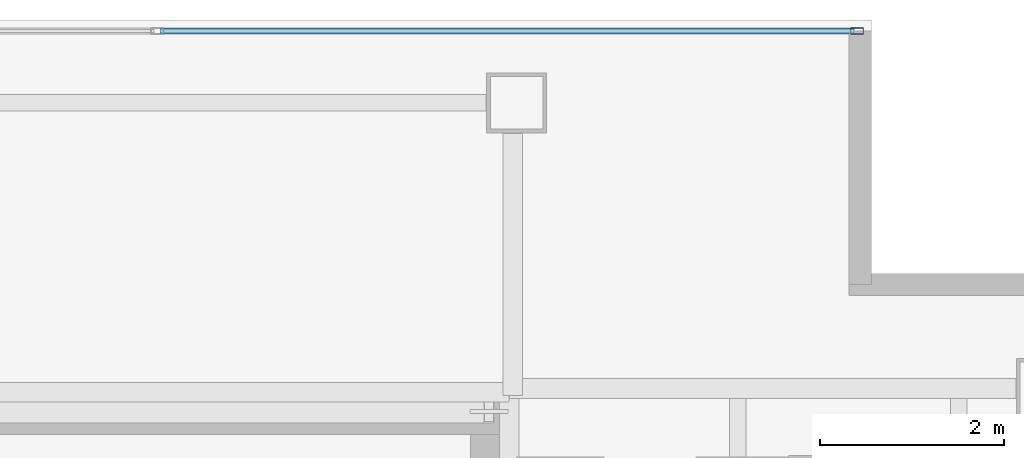
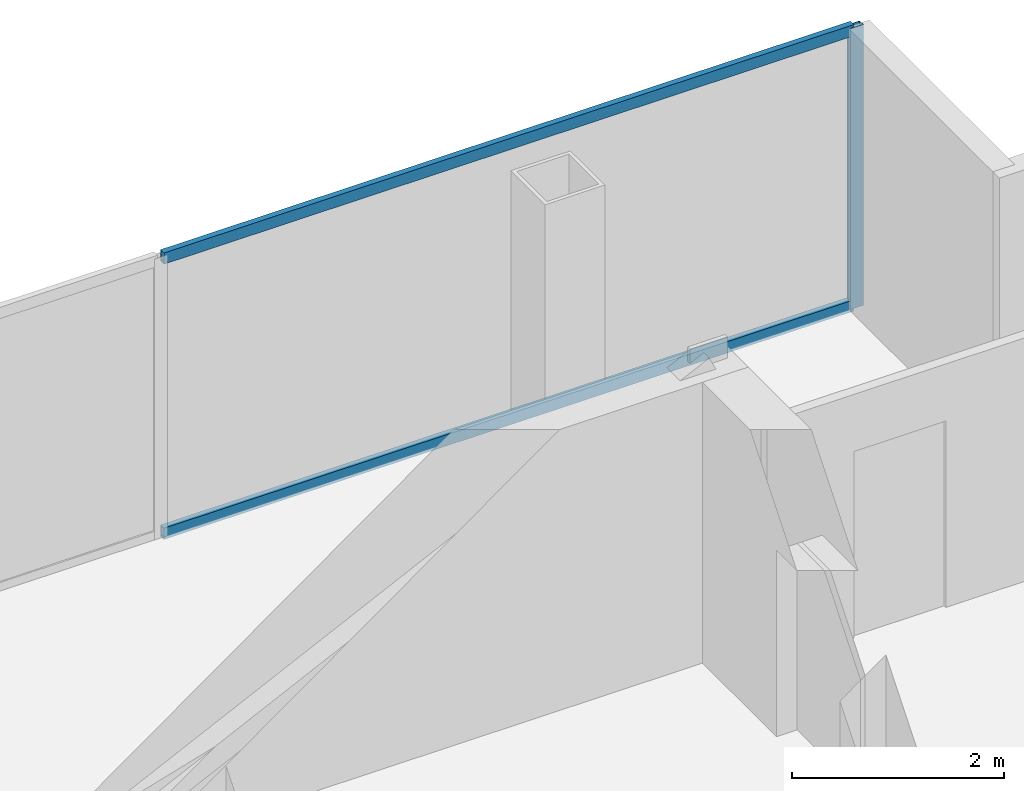
# One storey, part 19 of 24: 3 members, 1 element without a shape of its own.
"""IFC4 building model written with IfcOpenShell, lengths in metres."""

from ifc_helpers import new_model, si_unit, direction, frame, origin, origin_2d, place, context, subcontext, project, spatial, hollow_rectangle, extrude, material, material_profile, profile_set, type_object, element, aggregate, save


model = new_model("IFC4")

# Units and contexts
model_context = context("Model", 3, precision=1e-05, world=origin(), true_north=direction((0.0, 1.0)))
body_context = subcontext(model_context, "Body", "Model", "MODEL_VIEW")
ifc_project = project(units=[si_unit("LENGTHUNIT", "METRE"), si_unit("AREAUNIT", "SQUARE_METRE"), si_unit("VOLUMEUNIT", "CUBIC_METRE"), si_unit("PLANEANGLEUNIT", "RADIAN"), si_unit("MASSUNIT", "GRAM", prefix="KILO")], contexts=[model_context])

# Site, building, storey
site_placement = place(None, origin())
site = spatial("IfcSite", under=ifc_project, at=site_placement, CompositionType="ELEMENT")
building_placement = place(site_placement, origin())
building = spatial("IfcBuilding", under=site, at=building_placement, Name="Cobrela Telecom Tower", CompositionType="ELEMENT")
storey_placement = place(building_placement, frame((0.0, 0.0, 244.64990234375)))
storey = spatial("IfcBuildingStorey", under=building, at=storey_placement, Name="L63", CompositionType="ELEMENT", Elevation=244.64990234375)

# Curtain wall, members
ifc_material = material(Name="Anodized Bronze Aluminium 6063-T6", Category="aluminium")
curtain_wall_type = type_object("IfcCurtainWallType", Name="CW-SYS-OFF-HI", PredefinedType="USERDEFINED", material=ifc_material)
curtain_wall_placement = place(storey_placement, origin())
curtain_wall = element("IfcCurtainWall", 1, at=curtain_wall_placement, inside=storey, type_object=curtain_wall_type, Name="L63 Unitised Bronze Curtain Wall 05", ObjectType="UNITISED CURTAIN WALL", PredefinedType="USERDEFINED")
ifc_material_profile_1 = material_profile(ifc_material, hollow_rectangle(XDim=0.070068359375, YDim=0.139892578125, WallThickness=0.00390625, at=origin_2d()), Name="ALU 70x140x4")
ifc_profile_set_1 = profile_set([ifc_material_profile_1], Name="Anodized Bronze Aluminium 6063-T6")
member_type_1 = type_object("IfcMemberType", Name="CW-SYS-OFF-HI-MUL", PredefinedType="MULLION", material=ifc_profile_set_1)
member_1_placement = place(storey_placement, frame((18.094970703125, 39.8798828125, 0.0), z_axis=(0.0, 0.0, 1.0), x_axis=(0.0, 1.0, 0.0)))
member_1 = element("IfcMember", 2, at=member_1_placement, type_object=member_type_1, Name="CW-OFF-HI mullion 3", PredefinedType="MULLION", context=body_context, shape_type="SweptSolid", body=[
    extrude(hollow_rectangle(XDim=0.070068359375, YDim=0.139892578125, WallThickness=0.00390625, at=origin_2d()), origin(), (0.0, 0.0, 1.0), 3.239990234375),
])
ifc_material_profile_2 = material_profile(ifc_material, hollow_rectangle(XDim=0.06494140625, YDim=0.1298828125, WallThickness=0.00390625, at=origin_2d()), Name="ALU 65x130x4")
ifc_profile_set_2 = profile_set([ifc_material_profile_2], Name="Anodized Bronze Aluminium 6063-T6")
member_type_2 = type_object("IfcMemberType", Name="CW-SYS-OFF-HI-TRN", PredefinedType="USERDEFINED", material=ifc_profile_set_2)
member_2_placement = place(storey_placement, frame((10.534912109375, 39.8798828125, 0.03271484375), z_axis=(1.0, 0.0, 0.0), x_axis=(0.0, 1.0, 0.0)))
member_2 = element("IfcMember", 3, at=member_2_placement, type_object=member_type_2, Name="CW-OFF-HI transom 2.1", ObjectType="TRANSOM", PredefinedType="USERDEFINED", context=body_context, shape_type="SweptSolid", body=[
    extrude(hollow_rectangle(XDim=0.06494140625, YDim=0.1298828125, WallThickness=0.00390625, at=origin_2d()), origin(), (0.0, 0.0, 1.0), 7.525146484375),
])
member_3_placement = place(storey_placement, frame((10.534912109375, 39.8798828125, 3.20751953125), z_axis=(1.0, 0.0, 0.0), x_axis=(0.0, 1.0, 0.0)))
member_3 = element("IfcMember", 4, at=member_3_placement, type_object=member_type_2, Name="CW-OFF-HI transom 2.2", ObjectType="TRANSOM", PredefinedType="USERDEFINED", context=body_context, shape_type="SweptSolid", body=[
    extrude(hollow_rectangle(XDim=0.06494140625, YDim=0.1298828125, WallThickness=0.00390625, at=origin_2d()), origin(), (0.0, 0.0, 1.0), 7.525146484375),
])
aggregate(curtain_wall, [member_1, member_2, member_3])

save(model, "model.ifc")
